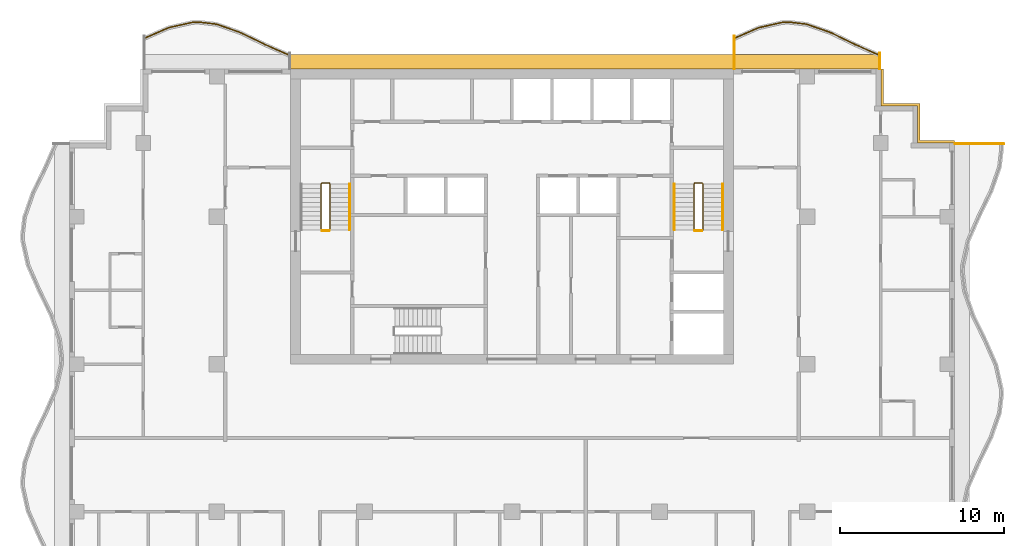
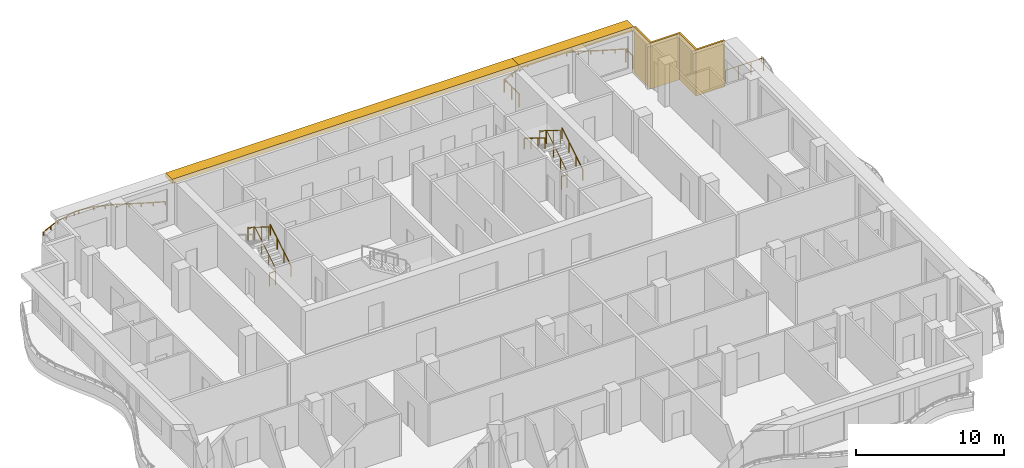
# One storey, part 11 of 11: 12 railings, 3 shading devices.
"""IFC4 building model written with IfcOpenShell, lengths in metres."""

from ifc_helpers import new_model, si_unit, direction, frame, origin, origin_2d, place, context, subcontext, project, spatial, polyline, rectangle, circle, outline, extrude, material, layer, layer_set, type_object, element, save


model = new_model("IFC4")

# Units and contexts
model_context = context("Model", 3, precision=1e-05, world=origin(), true_north=direction((0.0, 1.0)))
body_context = subcontext(model_context, "Body", "Model", "MODEL_VIEW")
ifc_project = project(units=[si_unit("LENGTHUNIT", "METRE"), si_unit("AREAUNIT", "SQUARE_METRE"), si_unit("VOLUMEUNIT", "CUBIC_METRE"), si_unit("PLANEANGLEUNIT", "RADIAN"), si_unit("MASSUNIT", "GRAM", prefix="KILO")], contexts=[model_context])

# Site, building, storey
site_placement = place(None, origin())
site = spatial("IfcSite", under=ifc_project, at=site_placement, CompositionType="ELEMENT")
building_placement = place(site_placement, origin())
building = spatial("IfcBuilding", under=site, at=building_placement, Name="Orbiselva Terraces", CompositionType="ELEMENT")
storey_placement = place(building_placement, frame((0.0, 0.0, 269.2)))
storey = spatial("IfcBuildingStorey", under=building, at=storey_placement, Name="L68", CompositionType="ELEMENT", Elevation=269.2)

# Railings
ifc_material_1 = material(Name="Stainless steel", Category="steel")
railing_type_1 = type_object("IfcRailingType", Name="CORE-GUARD-1100", PredefinedType="GUARDRAIL", material=ifc_material_1)
railing_1_placement = place(storey_placement, frame((-11.1, 12.7, 0.172727)))
element("IfcRailing", 1, at=railing_1_placement, inside=storey, type_object=railing_type_1, Name="L68 S1 stair guard 1", PredefinedType="GUARDRAIL", context=body_context, shape_type="SweptSolid", body=[
    extrude(circle(Radius=0.024, at=origin_2d()), frame((0.0, 0.0, 1.081), z_axis=(0.0, 0.851088519012, 0.52502222125), x_axis=(-1.0, 0.0, 0.0)), (0.0, 0.0, 1.0), 3.289905),
    extrude(circle(Radius=0.024, at=origin_2d()), frame((0.0, 2.8, 2.808273), z_axis=(-0.707106781187, 0.707106781187, 0.0), x_axis=(-0.707106781187, -0.707106781187, 0.0)), (0.0, 0.0, 1.0), 0.070711),
    extrude(circle(Radius=0.024, at=origin_2d()), frame((-0.05, 2.85, 2.808273), z_axis=(-1.0, 0.0, 0.0), x_axis=(0.0, -1.0, 0.0)), (0.0, 0.0, 1.0), 0.45),
    extrude(circle(Radius=0.024, at=origin_2d()), frame((-0.5, 2.85, 2.808273), z_axis=(-0.267894925557, -0.267894925557, 0.925453736133), x_axis=(0.707106781187, -0.707106781187, 0.0)), (0.0, 0.0, 1.0), 0.18664),
    extrude(circle(Radius=0.024, at=origin_2d()), frame((-0.55, 2.8, 2.981), z_axis=(0.0, -0.851088519012, 0.52502222125), x_axis=(1.0, 0.0, 0.0)), (0.0, 0.0, 1.0), 3.289905),
    extrude(circle(Radius=0.021, at=origin_2d()), origin(), (0.0, 0.0, 1.0), 1.057),
    extrude(circle(Radius=0.021, at=origin_2d()), frame((0.0, 0.933333, 0.575758)), (0.0, 0.0, 1.0), 1.057),
    extrude(circle(Radius=0.021, at=origin_2d()), frame((0.0, 1.866667, 1.151515)), (0.0, 0.0, 1.0), 1.057),
    extrude(circle(Radius=0.021, at=origin_2d()), frame((0.0, 2.8, 1.727273)), (0.0, 0.0, 1.0), 1.057),
    extrude(circle(Radius=0.021, at=origin_2d()), frame((-0.05, 2.85, 1.727273)), (0.0, 0.0, 1.0), 1.057),
    extrude(circle(Radius=0.021, at=origin_2d()), frame((-0.5, 2.85, 1.727273)), (0.0, 0.0, 1.0), 1.057),
    extrude(circle(Radius=0.021, at=origin_2d()), frame((-0.55, 2.8, 1.9)), (0.0, 0.0, 1.0), 1.057),
    extrude(circle(Radius=0.021, at=origin_2d()), frame((-0.55, 1.866667, 2.475758)), (0.0, 0.0, 1.0), 1.057),
    extrude(circle(Radius=0.021, at=origin_2d()), frame((-0.55, 0.933333, 3.051515)), (0.0, 0.0, 1.0), 1.057),
    extrude(circle(Radius=0.021, at=origin_2d()), frame((-0.55, 0.0, 3.627273)), (0.0, 0.0, 1.0), 1.057),
])
railing_2_placement = place(storey_placement, frame((-11.15, 12.65, 0.0)))
element("IfcRailing", 2, at=railing_2_placement, inside=storey, type_object=railing_type_1, Name="L68 S1 stair guard 2", PredefinedType="GUARDRAIL", context=body_context, shape_type="SweptSolid", body=[
    extrude(circle(Radius=0.024, at=origin_2d()), frame((0.0, 0.0, 1.081), z_axis=(-1.0, 0.0, 0.0), x_axis=(0.0, -1.0, 0.0)), (0.0, 0.0, 1.0), 0.45),
    extrude(circle(Radius=0.021, at=origin_2d()), origin(), (0.0, 0.0, 1.0), 1.057),
    extrude(circle(Radius=0.021, at=origin_2d()), frame((-0.45, 0.0, 0.0)), (0.0, 0.0, 1.0), 1.057),
])
railing_3_placement = place(storey_placement, frame((11.65, 12.7, 0.172727)))
element("IfcRailing", 3, at=railing_3_placement, inside=storey, type_object=railing_type_1, Name="L68 S2 stair guard 1", PredefinedType="GUARDRAIL", context=body_context, shape_type="SweptSolid", body=[
    extrude(circle(Radius=0.024, at=origin_2d()), frame((0.0, 0.0, 1.081), z_axis=(0.0, 0.851088519012, 0.52502222125), x_axis=(-1.0, 0.0, 0.0)), (0.0, 0.0, 1.0), 3.289905),
    extrude(circle(Radius=0.024, at=origin_2d()), frame((0.0, 2.8, 2.808273), z_axis=(-0.707106781187, 0.707106781187, 0.0), x_axis=(-0.707106781187, -0.707106781187, 0.0)), (0.0, 0.0, 1.0), 0.070711),
    extrude(circle(Radius=0.024, at=origin_2d()), frame((-0.05, 2.85, 2.808273), z_axis=(-1.0, 0.0, 0.0), x_axis=(0.0, -1.0, 0.0)), (0.0, 0.0, 1.0), 0.45),
    extrude(circle(Radius=0.024, at=origin_2d()), frame((-0.5, 2.85, 2.808273), z_axis=(-0.267894925557, -0.267894925557, 0.925453736133), x_axis=(0.707106781187, -0.707106781187, 0.0)), (0.0, 0.0, 1.0), 0.18664),
    extrude(circle(Radius=0.024, at=origin_2d()), frame((-0.55, 2.8, 2.981), z_axis=(0.0, -0.851088519012, 0.52502222125), x_axis=(1.0, 0.0, 0.0)), (0.0, 0.0, 1.0), 3.289905),
    extrude(circle(Radius=0.021, at=origin_2d()), origin(), (0.0, 0.0, 1.0), 1.057),
    extrude(circle(Radius=0.021, at=origin_2d()), frame((0.0, 0.933333, 0.575758)), (0.0, 0.0, 1.0), 1.057),
    extrude(circle(Radius=0.021, at=origin_2d()), frame((0.0, 1.866667, 1.151515)), (0.0, 0.0, 1.0), 1.057),
    extrude(circle(Radius=0.021, at=origin_2d()), frame((0.0, 2.8, 1.727273)), (0.0, 0.0, 1.0), 1.057),
    extrude(circle(Radius=0.021, at=origin_2d()), frame((-0.05, 2.85, 1.727273)), (0.0, 0.0, 1.0), 1.057),
    extrude(circle(Radius=0.021, at=origin_2d()), frame((-0.5, 2.85, 1.727273)), (0.0, 0.0, 1.0), 1.057),
    extrude(circle(Radius=0.021, at=origin_2d()), frame((-0.55, 2.8, 1.9)), (0.0, 0.0, 1.0), 1.057),
    extrude(circle(Radius=0.021, at=origin_2d()), frame((-0.55, 1.866667, 2.475758)), (0.0, 0.0, 1.0), 1.057),
    extrude(circle(Radius=0.021, at=origin_2d()), frame((-0.55, 0.933333, 3.051515)), (0.0, 0.0, 1.0), 1.057),
    extrude(circle(Radius=0.021, at=origin_2d()), frame((-0.55, 0.0, 3.627273)), (0.0, 0.0, 1.0), 1.057),
])
railing_4_placement = place(storey_placement, frame((11.6, 12.65, 0.0)))
element("IfcRailing", 4, at=railing_4_placement, inside=storey, type_object=railing_type_1, Name="L68 S2 stair guard 2", PredefinedType="GUARDRAIL", context=body_context, shape_type="SweptSolid", body=[
    extrude(circle(Radius=0.024, at=origin_2d()), frame((0.0, 0.0, 1.081), z_axis=(-1.0, 0.0, 0.0), x_axis=(0.0, -1.0, 0.0)), (0.0, 0.0, 1.0), 0.45),
    extrude(circle(Radius=0.021, at=origin_2d()), origin(), (0.0, 0.0, 1.0), 1.057),
    extrude(circle(Radius=0.021, at=origin_2d()), frame((-0.45, 0.0, 0.0)), (0.0, 0.0, 1.0), 1.057),
])
railing_type_2 = type_object("IfcRailingType", Name="CORE-HANDRAIL-900", PredefinedType="HANDRAIL", material=ifc_material_1)
for number, where, name in (
    (5, (-9.9, 12.7, 0.172727), "L68 S1 stair handrail 1"),
    (6, (12.85, 12.7, 0.172727), "L68 S2 stair handrail 1"),
):
    element("IfcRailing", number, at=place(storey_placement, frame(where)), inside=storey, type_object=railing_type_2, Name=name, PredefinedType="HANDRAIL", context=body_context, shape_type="SweptSolid", body=[
        extrude(circle(Radius=0.024, at=origin_2d()), frame((0.0, 0.0, 0.876), z_axis=(0.0, 0.851088519012, 0.52502222125), x_axis=(-1.0, 0.0, 0.0)), (0.0, 0.0, 1.0), 3.289905),
        extrude(circle(Radius=0.021, at=origin_2d()), origin(), (0.0, 0.0, 1.0), 0.852),
        extrude(circle(Radius=0.021, at=origin_2d()), frame((0.0, 0.933333, 0.575758)), (0.0, 0.0, 1.0), 0.852),
        extrude(circle(Radius=0.021, at=origin_2d()), frame((0.0, 1.866667, 1.151515)), (0.0, 0.0, 1.0), 0.852),
        extrude(circle(Radius=0.021, at=origin_2d()), frame((0.0, 2.8, 1.727273)), (0.0, 0.0, 1.0), 0.852),
    ])
railing_5_placement = place(storey_placement, frame((9.9, 15.5, 2.072727)))
element("IfcRailing", 7, at=railing_5_placement, inside=storey, type_object=railing_type_2, Name="L68 S2 stair handrail 2", PredefinedType="HANDRAIL", context=body_context, shape_type="SweptSolid", body=[
    extrude(circle(Radius=0.024, at=origin_2d()), frame((0.0, 0.0, 0.876), z_axis=(0.0, -0.851088519012, 0.52502222125), x_axis=(1.0, 0.0, 0.0)), (0.0, 0.0, 1.0), 3.289905),
    extrude(circle(Radius=0.021, at=origin_2d()), origin(), (0.0, 0.0, 1.0), 0.852),
    extrude(circle(Radius=0.021, at=origin_2d()), frame((0.0, -0.933333, 0.575758)), (0.0, 0.0, 1.0), 0.852),
    extrude(circle(Radius=0.021, at=origin_2d()), frame((0.0, -1.866667, 1.151515)), (0.0, 0.0, 1.0), 0.852),
    extrude(circle(Radius=0.021, at=origin_2d()), frame((0.0, -2.8, 1.727273)), (0.0, 0.0, 1.0), 0.852),
])
ifc_material_2 = material(Name="Bonded two-ply safety glass balustrade, stainless steel posts", Category="steel")
railing_type_3 = type_object("IfcRailingType", Name="ENV-BALUSTRADE-1200", PredefinedType="BALUSTRADE", material=ifc_material_2)
railing_6_placement = place(storey_placement, frame((22.449606, 23.33708, 0.9)))
element("IfcRailing", 8, at=railing_6_placement, inside=storey, type_object=railing_type_3, Name="Balcony balustrade L68 NE", PredefinedType="BALUSTRADE", context=body_context, shape_type="SweptSolid", body=[
    extrude(outline(polyline([(0.028868, 0.0), (0.014434, 0.025), (-0.014434, 0.025), (-0.028868, 0.0), (-0.014434, -0.025), (0.014434, -0.025), (0.028868, 0.0)])), frame((0.0, 0.0, 0.275), z_axis=(-0.915133394491, 0.403151175476, 0.0), x_axis=(-0.403151175476, -0.915133394491, 0.0)), (0.0, 0.0, 1.0), 1.641563),
    extrude(outline(polyline([(0.028868, 0.0), (0.014434, 0.025), (-0.014434, 0.025), (-0.028868, 0.0), (-0.014434, -0.025), (0.014434, -0.025), (0.028868, 0.0)])), frame((-1.502249, 0.661798, 0.275), z_axis=(-0.89857890432, 0.438811978768, 0.0), x_axis=(-0.438811978768, -0.89857890432, 0.0)), (0.0, 0.0, 1.0), 1.66438),
    extrude(outline(polyline([(0.028868, 0.0), (0.014434, 0.025), (-0.014434, 0.025), (-0.028868, 0.0), (-0.014434, -0.025), (0.014434, -0.025), (0.028868, 0.0)])), frame((-2.997826, 1.392148, 0.275), z_axis=(-0.943972277814, 0.330024754707, 0.0), x_axis=(-0.330024754707, -0.943972277814, 0.0)), (0.0, 0.0, 1.0), 1.567807),
    extrude(outline(polyline([(0.028868, 0.0), (0.014434, 0.025), (-0.014434, 0.025), (-0.028868, 0.0), (-0.014434, -0.025), (0.014434, -0.025), (0.028868, 0.0)])), frame((-4.477792, 1.909563, 0.275), z_axis=(-0.993309658409, 0.115481264762, 0.0), x_axis=(-0.115481264762, -0.993309658409, 0.0)), (0.0, 0.0, 1.0), 1.10902),
    extrude(outline(polyline([(0.028868, 0.0), (0.014434, 0.025), (-0.014434, 0.025), (-0.028868, 0.0), (-0.014434, -0.025), (0.014434, -0.025), (0.028868, 0.0)])), frame((-5.579392, 2.037634, 0.275), z_axis=(-0.999224931454, -0.039364150694, 0.0), x_axis=(0.039364150694, -0.999224931454, 0.0)), (0.0, 0.0, 1.0), 0.354206),
    extrude(outline(polyline([(0.028868, 0.0), (0.014434, 0.025), (-0.014434, 0.025), (-0.028868, 0.0), (-0.014434, -0.025), (0.014434, -0.025), (0.028868, 0.0)])), frame((-5.933323, 2.023691, 0.275), z_axis=(-0.975721325753, -0.219015740235, 0.0), x_axis=(0.219015740235, -0.975721325753, 0.0)), (0.0, 0.0, 1.0), 1.513782),
    extrude(outline(polyline([(0.028868, 0.0), (0.014434, 0.025), (-0.014434, 0.025), (-0.028868, 0.0), (-0.014434, -0.025), (0.014434, -0.025), (0.028868, 0.0)])), frame((-7.410352, 1.692149, 0.275), z_axis=(-0.915133311645, -0.403151363532, 0.0), x_axis=(0.403151363532, -0.915133311645, 0.0)), (0.0, 0.0, 1.0), 1.626932),
    extrude(rectangle(XDim=0.05, YDim=0.05, at=origin_2d()), origin(), (0.0, 0.0, 1.0), 0.25),
    extrude(rectangle(XDim=0.05, YDim=0.05, at=origin_2d()), frame((-0.751124, 0.330899, 0.0)), (0.0, 0.0, 1.0), 0.25),
    extrude(rectangle(XDim=0.05, YDim=0.05, at=origin_2d()), frame((-1.502249, 0.661798, 0.0)), (0.0, 0.0, 1.0), 0.25),
    extrude(rectangle(XDim=0.05, YDim=0.05, at=origin_2d()), frame((-2.250037, 1.026973, 0.0)), (0.0, 0.0, 1.0), 0.25),
    extrude(rectangle(XDim=0.05, YDim=0.05, at=origin_2d()), frame((-2.997826, 1.392148, 0.0)), (0.0, 0.0, 1.0), 0.25),
    extrude(rectangle(XDim=0.05, YDim=0.05, at=origin_2d()), frame((-3.737809, 1.650855, 0.0)), (0.0, 0.0, 1.0), 0.25),
    extrude(rectangle(XDim=0.05, YDim=0.05, at=origin_2d()), frame((-4.477792, 1.909563, 0.0)), (0.0, 0.0, 1.0), 0.25),
    extrude(rectangle(XDim=0.05, YDim=0.05, at=origin_2d()), frame((-5.579392, 2.037634, 0.0)), (0.0, 0.0, 1.0), 0.25),
    extrude(rectangle(XDim=0.05, YDim=0.05, at=origin_2d()), frame((-5.933323, 2.023691, 0.0)), (0.0, 0.0, 1.0), 0.25),
    extrude(rectangle(XDim=0.05, YDim=0.05, at=origin_2d()), frame((-6.671837, 1.85792, 0.0)), (0.0, 0.0, 1.0), 0.25),
    extrude(rectangle(XDim=0.05, YDim=0.05, at=origin_2d()), frame((-7.410352, 1.692149, 0.0)), (0.0, 0.0, 1.0), 0.25),
    extrude(rectangle(XDim=0.05, YDim=0.05, at=origin_2d()), frame((-8.154782, 1.364199, 0.0)), (0.0, 0.0, 1.0), 0.25),
    extrude(rectangle(XDim=0.05, YDim=0.05, at=origin_2d()), frame((-8.899212, 1.036249, 0.0)), (0.0, 0.0, 1.0), 0.25),
])
railing_7_placement = place(storey_placement, frame((-13.550394, 23.33708, 0.9)))
element("IfcRailing", 9, at=railing_7_placement, inside=storey, type_object=railing_type_3, Name="Balcony balustrade L68 NW", PredefinedType="BALUSTRADE", context=body_context, shape_type="SweptSolid", body=[
    extrude(outline(polyline([(0.028868, 0.0), (0.014434, 0.025), (-0.014434, 0.025), (-0.028868, 0.0), (-0.014434, -0.025), (0.014434, -0.025), (0.028868, 0.0)])), frame((0.0, 0.0, 0.275), z_axis=(-0.915133394491, 0.403151175476, 0.0), x_axis=(-0.403151175476, -0.915133394491, 0.0)), (0.0, 0.0, 1.0), 1.641563),
    extrude(outline(polyline([(0.028868, 0.0), (0.014434, 0.025), (-0.014434, 0.025), (-0.028868, 0.0), (-0.014434, -0.025), (0.014434, -0.025), (0.028868, 0.0)])), frame((-1.502249, 0.661798, 0.275), z_axis=(-0.89857890432, 0.438811978768, 0.0), x_axis=(-0.438811978768, -0.89857890432, 0.0)), (0.0, 0.0, 1.0), 1.66438),
    extrude(outline(polyline([(0.028868, 0.0), (0.014434, 0.025), (-0.014434, 0.025), (-0.028868, 0.0), (-0.014434, -0.025), (0.014434, -0.025), (0.028868, 0.0)])), frame((-2.997826, 1.392148, 0.275), z_axis=(-0.943972277814, 0.330024754707, 0.0), x_axis=(-0.330024754707, -0.943972277814, 0.0)), (0.0, 0.0, 1.0), 1.567807),
    extrude(outline(polyline([(0.028868, 0.0), (0.014434, 0.025), (-0.014434, 0.025), (-0.028868, 0.0), (-0.014434, -0.025), (0.014434, -0.025), (0.028868, 0.0)])), frame((-4.477792, 1.909563, 0.275), z_axis=(-0.993309658409, 0.115481264762, 0.0), x_axis=(-0.115481264762, -0.993309658409, 0.0)), (0.0, 0.0, 1.0), 1.10902),
    extrude(outline(polyline([(0.028868, 0.0), (0.014434, 0.025), (-0.014434, 0.025), (-0.028868, 0.0), (-0.014434, -0.025), (0.014434, -0.025), (0.028868, 0.0)])), frame((-5.579392, 2.037634, 0.275), z_axis=(-0.999224931454, -0.039364150694, 0.0), x_axis=(0.039364150694, -0.999224931454, 0.0)), (0.0, 0.0, 1.0), 0.354206),
    extrude(outline(polyline([(0.028868, 0.0), (0.014434, 0.025), (-0.014434, 0.025), (-0.028868, 0.0), (-0.014434, -0.025), (0.014434, -0.025), (0.028868, 0.0)])), frame((-5.933323, 2.023691, 0.275), z_axis=(-0.975721325753, -0.219015740235, 0.0), x_axis=(0.219015740235, -0.975721325753, 0.0)), (0.0, 0.0, 1.0), 1.513782),
    extrude(outline(polyline([(0.028868, 0.0), (0.014434, 0.025), (-0.014434, 0.025), (-0.028868, 0.0), (-0.014434, -0.025), (0.014434, -0.025), (0.028868, 0.0)])), frame((-7.410352, 1.692149, 0.275), z_axis=(-0.915133311645, -0.403151363532, 0.0), x_axis=(0.403151363532, -0.915133311645, 0.0)), (0.0, 0.0, 1.0), 1.626932),
    extrude(rectangle(XDim=0.05, YDim=0.05, at=origin_2d()), origin(), (0.0, 0.0, 1.0), 0.25),
    extrude(rectangle(XDim=0.05, YDim=0.05, at=origin_2d()), frame((-0.751124, 0.330899, 0.0)), (0.0, 0.0, 1.0), 0.25),
    extrude(rectangle(XDim=0.05, YDim=0.05, at=origin_2d()), frame((-1.502249, 0.661798, 0.0)), (0.0, 0.0, 1.0), 0.25),
    extrude(rectangle(XDim=0.05, YDim=0.05, at=origin_2d()), frame((-2.250037, 1.026973, 0.0)), (0.0, 0.0, 1.0), 0.25),
    extrude(rectangle(XDim=0.05, YDim=0.05, at=origin_2d()), frame((-2.997826, 1.392148, 0.0)), (0.0, 0.0, 1.0), 0.25),
    extrude(rectangle(XDim=0.05, YDim=0.05, at=origin_2d()), frame((-3.737809, 1.650855, 0.0)), (0.0, 0.0, 1.0), 0.25),
    extrude(rectangle(XDim=0.05, YDim=0.05, at=origin_2d()), frame((-4.477792, 1.909563, 0.0)), (0.0, 0.0, 1.0), 0.25),
    extrude(rectangle(XDim=0.05, YDim=0.05, at=origin_2d()), frame((-5.579392, 2.037634, 0.0)), (0.0, 0.0, 1.0), 0.25),
    extrude(rectangle(XDim=0.05, YDim=0.05, at=origin_2d()), frame((-5.933323, 2.023691, 0.0)), (0.0, 0.0, 1.0), 0.25),
    extrude(rectangle(XDim=0.05, YDim=0.05, at=origin_2d()), frame((-6.671837, 1.85792, 0.0)), (0.0, 0.0, 1.0), 0.25),
    extrude(rectangle(XDim=0.05, YDim=0.05, at=origin_2d()), frame((-7.410352, 1.692149, 0.0)), (0.0, 0.0, 1.0), 0.25),
    extrude(rectangle(XDim=0.05, YDim=0.05, at=origin_2d()), frame((-8.154782, 1.364199, 0.0)), (0.0, 0.0, 1.0), 0.25),
    extrude(rectangle(XDim=0.05, YDim=0.05, at=origin_2d()), frame((-8.899212, 1.036249, 0.0)), (0.0, 0.0, 1.0), 0.25),
])
ifc_material_3 = material(Name="Stainless steel rail and posts", Category="steel")
railing_type_4 = type_object("IfcRailingType", Name="ENV-GUARD-1105", PredefinedType="BALUSTRADE", material=ifc_material_3)
railing_8_placement = place(storey_placement, frame((29.989569, 17.94, 0.0)))
element("IfcRailing", 10, at=railing_8_placement, inside=storey, type_object=railing_type_4, Name="Balcony end guard L68 E", PredefinedType="BALUSTRADE", context=body_context, shape_type="SweptSolid", body=[
    extrude(outline(polyline([(0.028868, 0.0), (0.014434, 0.025), (-0.014434, 0.025), (-0.028868, 0.0), (-0.014434, -0.025), (0.014434, -0.025), (0.028868, 0.0)])), frame((0.0, 0.0, 1.08), z_axis=(-1.0, 0.0, 0.0), x_axis=(0.0, -1.0, 0.0)), (0.0, 0.0, 1.0), 2.964569),
    extrude(rectangle(XDim=0.05, YDim=0.05, at=origin_2d()), origin(), (0.0, 0.0, 1.0), 1.055),
    extrude(rectangle(XDim=0.05, YDim=0.05, at=origin_2d()), frame((-0.98819, 0.0, 0.0)), (0.0, 0.0, 1.0), 1.055),
    extrude(rectangle(XDim=0.05, YDim=0.05, at=origin_2d()), frame((-1.976379, 0.0, 0.0)), (0.0, 0.0, 1.0), 1.055),
    extrude(rectangle(XDim=0.05, YDim=0.05, at=origin_2d()), frame((-2.964569, 0.0, 0.0)), (0.0, 0.0, 1.0), 1.055),
])
railing_9_placement = place(storey_placement, frame((22.44, 23.473063, 0.0)))
element("IfcRailing", 11, at=railing_9_placement, inside=storey, type_object=railing_type_4, Name="Balcony end guard L68 NE", PredefinedType="BALUSTRADE", context=body_context, shape_type="SweptSolid", body=[
    extrude(outline(polyline([(0.028868, 0.0), (0.014434, 0.025), (-0.014434, 0.025), (-0.028868, 0.0), (-0.014434, -0.025), (0.014434, -0.025), (0.028868, 0.0)])), frame((0.0, 0.0, 1.08), z_axis=(0.0, -1.0, 0.0), x_axis=(1.0, 0.0, 0.0)), (0.0, 0.0, 1.0), 0.948063),
    extrude(rectangle(XDim=0.05, YDim=0.05, at=origin_2d()), origin(), (0.0, 0.0, 1.0), 1.055),
    extrude(rectangle(XDim=0.05, YDim=0.05, at=origin_2d()), frame((0.0, -0.948063, 0.0)), (0.0, 0.0, 1.0), 1.055),
])
railing_10_placement = place(storey_placement, frame((13.56, 24.517447, 0.0)))
element("IfcRailing", 12, at=railing_10_placement, inside=storey, type_object=railing_type_4, Name="Balcony end guard L68 NE", PredefinedType="BALUSTRADE", context=body_context, shape_type="SweptSolid", body=[
    extrude(outline(polyline([(0.028868, 0.0), (0.014434, 0.025), (-0.014434, 0.025), (-0.028868, 0.0), (-0.014434, -0.025), (0.014434, -0.025), (0.028868, 0.0)])), frame((0.0, 0.0, 1.08), z_axis=(0.0, -1.0, 0.0), x_axis=(1.0, 0.0, 0.0)), (0.0, 0.0, 1.0), 1.992447),
    extrude(rectangle(XDim=0.05, YDim=0.05, at=origin_2d()), origin(), (0.0, 0.0, 1.0), 1.055),
    extrude(rectangle(XDim=0.05, YDim=0.05, at=origin_2d()), frame((0.0, -0.996224, 0.0)), (0.0, 0.0, 1.0), 1.055),
    extrude(rectangle(XDim=0.05, YDim=0.05, at=origin_2d()), frame((0.0, -1.992447, 0.0)), (0.0, 0.0, 1.0), 1.055),
])

# Shading devices
ifc_material_4 = material(Name="Terracotta louvre screen", Category="masonry")
ifc_layer_1 = layer(ifc_material_4, 0.15)
ifc_layer_set_1 = layer_set([ifc_layer_1], Name="Terracotta louvre screen")
shading_device_type_1 = type_object("IfcShadingDeviceType", Name="ENV-SCREEN-150", PredefinedType="USERDEFINED", material=ifc_layer_set_1)
shading_device_1_placement = place(storey_placement, frame((0.0, 0.0, -0.3)))
element("IfcShadingDevice", 13, at=shading_device_1_placement, inside=storey, type_object=shading_device_type_1, Name="Louvre screen L68 NE", ObjectType="SCREEN", PredefinedType="USERDEFINED", context=body_context, shape_type="SweptSolid", body=[
    extrude(outline(polyline([(27.0, 18.15), (24.9, 18.15), (24.9, 20.4), (22.65, 20.4), (22.65, 22.5), (22.5, 22.5), (22.5, 20.25), (24.75, 20.25), (24.75, 18.0), (27.0, 18.0), (27.0, 18.15)])), origin(), (0.0, 0.0, 1.0), 3.8),
])
ifc_material_5 = material(Name="Terracotta baguette sunshade", Category="masonry")
ifc_layer_2 = layer(ifc_material_5, 0.35)
ifc_layer_set_2 = layer_set([ifc_layer_2], Name="Terracotta baguette sunshade")
shading_device_type_2 = type_object("IfcShadingDeviceType", Name="ENV-SUNSHADE-900x350", PredefinedType="USERDEFINED", material=ifc_layer_set_2)
shading_device_2_placement = place(storey_placement, frame((0.0, 0.0, 3.15)))
element("IfcShadingDevice", 14, at=shading_device_2_placement, inside=storey, type_object=shading_device_type_2, Name="Sunshade band L68 NE", ObjectType="SUNSHADE", PredefinedType="USERDEFINED", context=body_context, shape_type="SweptSolid", body=[
    extrude(outline(polyline([(22.5, 23.4), (13.5, 23.4), (13.5, 22.5), (22.5, 22.5), (22.5, 23.4)])), origin(), (0.0, 0.0, 1.0), 0.35),
])
shading_device_3_placement = place(storey_placement, frame((0.0, 0.0, 3.15)))
element("IfcShadingDevice", 15, at=shading_device_3_placement, inside=storey, type_object=shading_device_type_2, Name="Sunshade band L68 CORE NORTH", ObjectType="SUNSHADE", PredefinedType="USERDEFINED", context=body_context, shape_type="SweptSolid", body=[
    extrude(outline(polyline([(13.5, 23.4), (-13.5, 23.4), (-13.5, 22.5), (13.5, 22.5), (13.5, 23.4)])), origin(), (0.0, 0.0, 1.0), 0.35),
])

save(model, "model.ifc")
